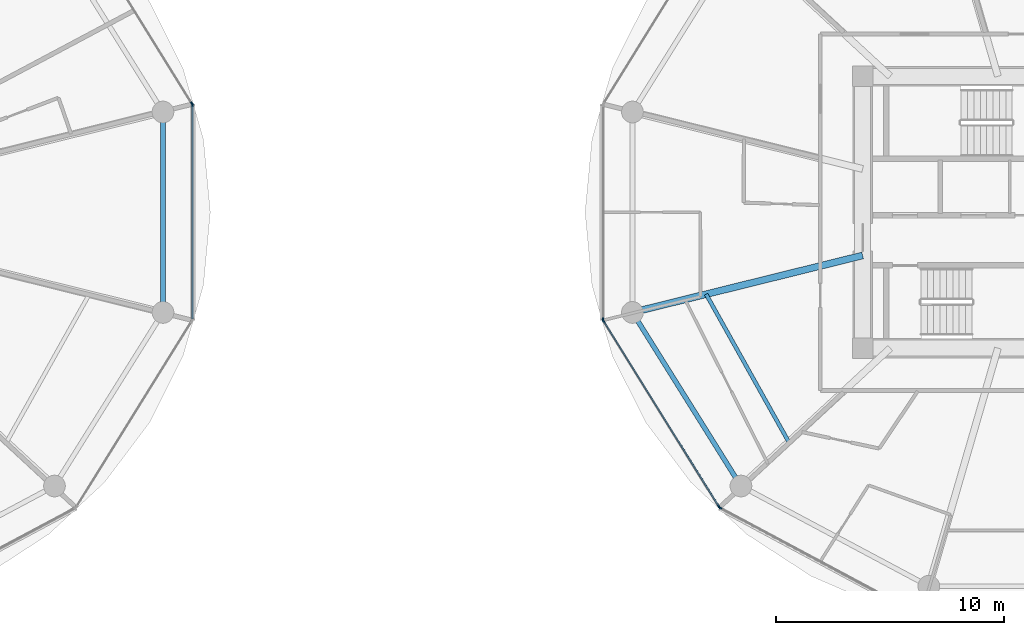
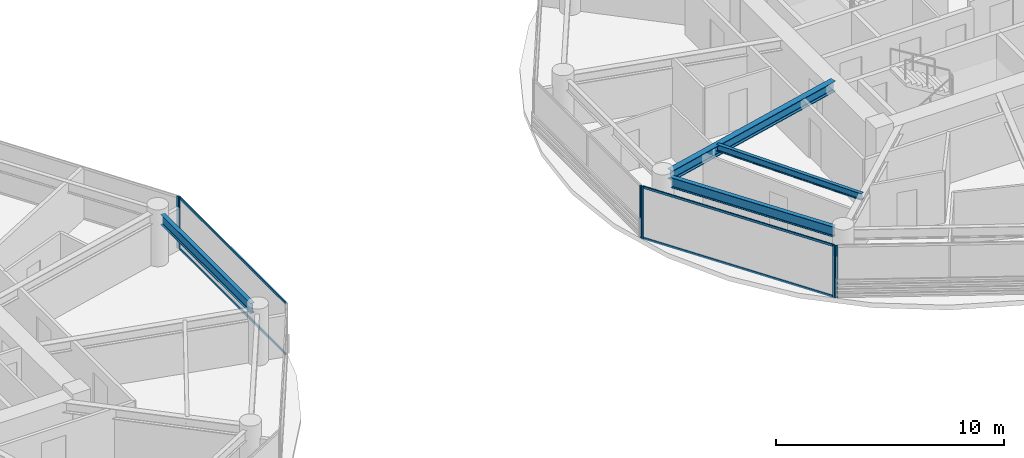
# One storey, part 6 of 27: 10 members, 4 beams, 5 elements without a shape of their own.
"""IFC4 building model written with IfcOpenShell, lengths in metres."""

from ifc_helpers import new_model, si_unit, direction, frame, origin, origin_2d, place, context, subcontext, project, spatial, rectangle, i_section, extrude, source, transform, mapped, material, layer, layer_set, material_profile, profile_set, type_object, type_shapes, element, aggregate, save


model = new_model("IFC4")

# Units and contexts
model_context = context("Model", 3, precision=1e-05, world=origin(), true_north=direction((0.0, 1.0)))
body_context = subcontext(model_context, "Body", "Model", "MODEL_VIEW")
ifc_project = project(units=[si_unit("LENGTHUNIT", "METRE"), si_unit("AREAUNIT", "SQUARE_METRE"), si_unit("VOLUMEUNIT", "CUBIC_METRE"), si_unit("PLANEANGLEUNIT", "RADIAN"), si_unit("MASSUNIT", "GRAM", prefix="KILO")], contexts=[model_context])

# Site, building, storey
site_placement = place(None, origin())
site = spatial("IfcSite", under=ifc_project, at=site_placement, CompositionType="ELEMENT")
building_placement = place(site_placement, origin())
building = spatial("IfcBuilding", under=site, at=building_placement, Name="Norrkilde Senior Care Towers", CompositionType="ELEMENT")
storey_placement = place(building_placement, frame((0.0, 0.0, 33.800048828125)))
storey = spatial("IfcBuildingStorey", under=building, at=storey_placement, Name="L09", CompositionType="ELEMENT", Elevation=33.800048828125)

# Beams
ifc_material_1 = material(Name="Steel S355", Category="steel")
ifc_material_profile_1 = material_profile(ifc_material_1, i_section(OverallWidth=0.2099609375, OverallDepth=0.550048828125, WebThickness=0.010986328125, FlangeThickness=0.01708984375, FilletRadius=0.02392578125, at=origin_2d()), Name="IPE 550")
ifc_profile_set_1 = profile_set([ifc_material_profile_1], Name="Steel S355")
beam_type_1 = type_object("IfcBeamType", Name="Perimeter Ring Spandrel Z1 IPE550", PredefinedType="SPANDREL", material=ifc_profile_set_1)
shared_shape_1 = source(origin(), body_context, "Body", "SweptSolid", [
    extrude(i_section(OverallWidth=0.2099609375, OverallDepth=0.550048828125, WebThickness=0.010986328125, FlangeThickness=0.01708984375, FilletRadius=0.02392578125, at=origin_2d()), origin(), (0.0, 0.0, 1.0), 8.090576171875),
])
beam_1_placement = place(storey_placement, frame((10.505859375, -4.755859375, 2.514892578125), z_axis=(0.530004364821, -0.84799491347, 0.0), x_axis=(0.84799491347, 0.530004364821, 0.0)))
element("IfcBeam", 1, at=beam_1_placement, inside=storey, type_object=beam_type_1, Name="L09 Drum E Perimeter Spandrel 07", PredefinedType="SPANDREL", context=body_context, shape_type="MappedRepresentation", body=[
    mapped(shared_shape_1, transform((0.0, 0.0, 0.0), x_axis=(1.0, 0.0, 0.0), y_axis=(0.0, 1.0, 0.0), z_axis=(0.0, 0.0, 1.0), scale=1.0)),
])
ifc_material_profile_2 = material_profile(ifc_material_1, i_section(OverallWidth=0.300048828125, OverallDepth=0.550048828125, WebThickness=0.014892578125, FlangeThickness=0.029052734375, FilletRadius=0.027099609375, at=origin_2d()), Name="HEB 550")
ifc_profile_set_2 = profile_set([ifc_material_profile_2], Name="Steel S355")
beam_type_2 = type_object("IfcBeamType", Name="Radial Floor Beam Z1 HEB550", PredefinedType="BEAM", material=ifc_profile_set_2)
shared_shape_2 = source(origin(), body_context, "Body", "SweptSolid", [
    extrude(i_section(OverallWidth=0.300048828125, OverallDepth=0.550048828125, WebThickness=0.014892578125, FlangeThickness=0.029052734375, FilletRadius=0.027099609375, at=origin_2d()), origin(), (0.0, 0.0, 1.0), 9.94384765625),
])
type_shapes(beam_type_2, [shared_shape_2])
beam_2_placement = place(storey_placement, frame((20.35009765625, -1.893310546875, 2.514892578125), z_axis=(-0.970707425182, -0.240264634718, 0.0), x_axis=(0.240264634718, -0.970707425182, 0.0)))
element("IfcBeam", 2, at=beam_2_placement, inside=storey, type_object=beam_type_2, Name="L09 Drum E Radial Floor Beam 07", PredefinedType="BEAM", context=body_context, shape_type="MappedRepresentation", body=[
    mapped(shared_shape_2, transform((0.0, 0.0, 0.0), x_axis=(1.0, 0.0, 0.0), y_axis=(0.0, 1.0, 0.0), z_axis=(0.0, 0.0, 1.0), scale=1.0)),
])
shared_shape_3 = source(origin(), body_context, "Body", "SweptSolid", [
    extrude(i_section(OverallWidth=0.2099609375, OverallDepth=0.550048828125, WebThickness=0.010986328125, FlangeThickness=0.01708984375, FilletRadius=0.02392578125, at=origin_2d()), origin(), (0.0, 0.0, 1.0), 7.90380859375),
])
type_shapes(beam_type_1, [shared_shape_1, shared_shape_3])
beam_3_placement = place(storey_placement, frame((-10.275146484375, -3.951904296875, 2.514892578125), z_axis=(0.0, 1.0, 0.0), x_axis=(-1.0, 0.0, 0.0)))
element("IfcBeam", 3, at=beam_3_placement, inside=storey, type_object=beam_type_1, Name="L09 Drum W Perimeter Spandrel 12", PredefinedType="SPANDREL", context=body_context, shape_type="MappedRepresentation", body=[
    mapped(shared_shape_3, transform((0.0, 0.0, 0.0), x_axis=(1.0, 0.0, 0.0), y_axis=(0.0, 1.0, 0.0), z_axis=(0.0, 0.0, 1.0), scale=1.0)),
])
ifc_material_profile_3 = material_profile(ifc_material_1, i_section(OverallWidth=0.169921875, OverallDepth=0.360107421875, WebThickness=0.008056640625, FlangeThickness=0.0126953125, FilletRadius=0.01806640625, at=origin_2d()), Name="IPE 360")
ifc_profile_set_3 = profile_set([ifc_material_profile_3], Name="Steel S355")
beam_type_3 = type_object("IfcBeamType", Name="Secondary Floor Joist IPE360", PredefinedType="JOIST", material=ifc_profile_set_3)
shared_shape_4 = source(origin(), body_context, "Body", "SweptSolid", [
    extrude(i_section(OverallWidth=0.169921875, OverallDepth=0.360107421875, WebThickness=0.008056640625, FlangeThickness=0.0126953125, FilletRadius=0.01806640625, at=origin_2d()), origin(), (0.0, 0.0, 1.0), 7.40771484375),
])
type_shapes(beam_type_3, [shared_shape_4])
beam_4_placement = place(storey_placement, frame((13.499267578125, -3.589111328125, 2.60986328125), z_axis=(0.488167754092, -0.872749817453, 0.0), x_axis=(0.872749817453, 0.488167754092, 0.0)))
element("IfcBeam", 4, at=beam_4_placement, inside=storey, type_object=beam_type_3, Name="L09 Drum E Secondary Floor Joist 3", PredefinedType="JOIST", context=body_context, shape_type="MappedRepresentation", body=[
    mapped(shared_shape_4, transform((0.0, 0.0, 0.0), x_axis=(1.0, 0.0, 0.0), y_axis=(0.0, 1.0, 0.0), z_axis=(0.0, 0.0, 1.0), scale=1.0)),
])

# Curtain wall, member
ifc_material_2 = material(Name="Triple Low-E Insulated Glazing", Category="glass")
ifc_layer = layer(ifc_material_2, 0.199951171875)
ifc_layer_set = layer_set([ifc_layer], Name="Triple Low-E Insulated Glazing")
curtain_wall_type = type_object("IfcCurtainWallType", Name="CW2 Zone 1 Memory Care Curtain Wall", PredefinedType="NOTDEFINED", material=ifc_layer_set)
curtain_wall_1_placement = place(storey_placement, origin())
curtain_wall_1 = element("IfcCurtainWall", 5, at=curtain_wall_1_placement, inside=storey, type_object=curtain_wall_type, Name="L09 Drum W Curtain Wall 00", PredefinedType="NOTDEFINED")
ifc_material_3 = material(Name="Anodised Aluminium", Category="aluminium")
ifc_material_profile_4 = material_profile(ifc_material_3, rectangle(XDim=0.06494140625, YDim=0.159912109375, at=origin_2d()), Name="ALU MULL 65x160")
ifc_profile_set_4 = profile_set([ifc_material_profile_4], Name="Anodised Aluminium")
member_type_1 = type_object("IfcMemberType", Name="Curtain Wall Mullion Z1-Z2 65x160", PredefinedType="MULLION", material=ifc_profile_set_4)
shared_shape_5 = source(origin(), body_context, "Body", "SweptSolid", [
    extrude(rectangle(XDim=0.06494140625, YDim=0.159912109375, at=origin_2d()), origin(), (0.0, 0.0, 1.0), 2.7900390625),
])
type_shapes(member_type_1, [shared_shape_5])
member_1_placement = place(storey_placement, frame((-9.0078125, 4.7587890625, 0.0), z_axis=(0.0, 0.0, 1.0), x_axis=(0.849305943117, 0.527900951871, 0.0)))
member_1 = element("IfcMember", 6, at=member_1_placement, type_object=member_type_1, Name="CW-2 mullion 2", PredefinedType="MULLION", context=body_context, shape_type="MappedRepresentation", body=[
    mapped(shared_shape_5, transform((0.0, 0.0, 0.0), x_axis=(1.0, 0.0, 0.0), y_axis=(0.0, 1.0, 0.0), z_axis=(0.0, 0.0, 1.0), scale=1.0)),
])
aggregate(curtain_wall_1, [member_1])

curtain_wall_2_placement = place(storey_placement, origin())
curtain_wall_2 = element("IfcCurtainWall", 7, at=curtain_wall_2_placement, inside=storey, type_object=curtain_wall_type, Name="L09 Drum W Curtain Wall 11", PredefinedType="NOTDEFINED")
member_2_placement = place(storey_placement, frame((-8.990478515625, 4.69873046875, 0.0), z_axis=(0.0, 0.0, 1.0), x_axis=(1.0, 0.0, 0.0)))
member_2 = element("IfcMember", 8, at=member_2_placement, type_object=member_type_1, Name="CW-2 mullion 1", PredefinedType="MULLION", context=body_context, shape_type="MappedRepresentation", body=[
    mapped(shared_shape_5, transform((0.0, 0.0, 0.0), x_axis=(1.0, 0.0, 0.0), y_axis=(0.0, 1.0, 0.0), z_axis=(0.0, 0.0, 1.0), scale=1.0)),
])

curtain_wall_3_placement = place(storey_placement, origin())
curtain_wall_3 = element("IfcCurtainWall", 9, at=curtain_wall_3_placement, inside=storey, type_object=curtain_wall_type, Name="L09 Drum E Curtain Wall 05", PredefinedType="NOTDEFINED")
member_3_placement = place(storey_placement, frame((8.990478515625, -4.69873046875, 0.0), z_axis=(0.0, 0.0, 1.0), x_axis=(-1.0, 0.0, 0.0)))
member_3 = element("IfcMember", 10, at=member_3_placement, type_object=member_type_1, Name="CW-2 mullion 1", PredefinedType="MULLION", context=body_context, shape_type="MappedRepresentation", body=[
    mapped(shared_shape_5, transform((0.0, 0.0, 0.0), x_axis=(1.0, 0.0, 0.0), y_axis=(0.0, 1.0, 0.0), z_axis=(0.0, 0.0, 1.0), scale=1.0)),
])
aggregate(curtain_wall_3, [member_3])

# Curtain wall, members
curtain_wall_4_placement = place(storey_placement, origin())
curtain_wall_4 = element("IfcCurtainWall", 11, at=curtain_wall_4_placement, inside=storey, type_object=curtain_wall_type, Name="L09 Drum E Curtain Wall 06", PredefinedType="NOTDEFINED")
member_4_placement = place(storey_placement, frame((14.06689453125, -12.898193359375, 0.0), z_axis=(0.0, 0.0, 1.0), x_axis=(-0.849305943117, -0.527900951871, 0.0)))
member_4 = element("IfcMember", 12, at=member_4_placement, type_object=member_type_1, Name="CW-2 mullion 1", PredefinedType="MULLION", context=body_context, shape_type="MappedRepresentation", body=[
    mapped(shared_shape_5, transform((0.0, 0.0, 0.0), x_axis=(1.0, 0.0, 0.0), y_axis=(0.0, 1.0, 0.0), z_axis=(0.0, 0.0, 1.0), scale=1.0)),
])
member_5_placement = place(storey_placement, frame((9.0078125, -4.7587890625, 0.0), z_axis=(0.0, 0.0, 1.0), x_axis=(-0.849305943117, -0.527900951871, 0.0)))
member_5 = element("IfcMember", 13, at=member_5_placement, type_object=member_type_1, Name="CW-2 mullion 2", PredefinedType="MULLION", context=body_context, shape_type="MappedRepresentation", body=[
    mapped(shared_shape_5, transform((0.0, 0.0, 0.0), x_axis=(1.0, 0.0, 0.0), y_axis=(0.0, 1.0, 0.0), z_axis=(0.0, 0.0, 1.0), scale=1.0)),
])

# Curtain wall, member
curtain_wall_5_placement = place(storey_placement, origin())
curtain_wall_5 = element("IfcCurtainWall", 14, at=curtain_wall_5_placement, inside=storey, type_object=curtain_wall_type, Name="L09 Drum E Curtain Wall 07", PredefinedType="NOTDEFINED")
member_6_placement = place(storey_placement, frame((14.11279296875, -12.941162109375, 0.0), z_axis=(0.0, 0.0, 1.0), x_axis=(-0.472607802456, -0.881272866403, 0.0)))
member_6 = element("IfcMember", 15, at=member_6_placement, type_object=member_type_1, Name="CW-2 mullion 2", PredefinedType="MULLION", context=body_context, shape_type="MappedRepresentation", body=[
    mapped(shared_shape_5, transform((0.0, 0.0, 0.0), x_axis=(1.0, 0.0, 0.0), y_axis=(0.0, 1.0, 0.0), z_axis=(0.0, 0.0, 1.0), scale=1.0)),
])
aggregate(curtain_wall_5, [member_6])

# Member
ifc_material_profile_5 = material_profile(ifc_material_3, rectangle(XDim=0.06005859375, YDim=0.1201171875, at=origin_2d()), Name="ALU TRAN 60x120")
ifc_profile_set_5 = profile_set([ifc_material_profile_5], Name="Anodised Aluminium")
member_type_2 = type_object("IfcMemberType", Name="Curtain Wall Transom Typical 60x120", PredefinedType="USERDEFINED", material=ifc_profile_set_5)
shared_shape_6 = source(origin(), body_context, "Body", "SweptSolid", [
    extrude(rectangle(XDim=0.06005859375, YDim=0.1201171875, at=origin_2d()), origin(), (0.0, 0.0, 1.0), 9.5185546875),
])
member_7_placement = place(storey_placement, frame((14.0498046875, -12.87060546875, 0.030029296875), z_axis=(-0.527901620669, 0.849305527413, 0.0), x_axis=(-0.849305527413, -0.527901620669, 0.0)))
member_7 = element("IfcMember", 16, at=member_7_placement, type_object=member_type_2, Name="CW-2 transom 1.1", ObjectType="TRANSOM", PredefinedType="USERDEFINED", context=body_context, shape_type="MappedRepresentation", body=[
    mapped(shared_shape_6, transform((0.0, 0.0, 0.0), x_axis=(1.0, 0.0, 0.0), y_axis=(0.0, 1.0, 0.0), z_axis=(0.0, 0.0, 1.0), scale=1.0)),
])

member_8_placement = place(storey_placement, frame((14.0498046875, -12.87060546875, 2.760009765625), z_axis=(-0.527901620669, 0.849305527413, 0.0), x_axis=(-0.849305527413, -0.527901620669, 0.0)))
member_8 = element("IfcMember", 17, at=member_8_placement, type_object=member_type_2, Name="CW-2 transom 1.2", ObjectType="TRANSOM", PredefinedType="USERDEFINED", context=body_context, shape_type="MappedRepresentation", body=[
    mapped(shared_shape_6, transform((0.0, 0.0, 0.0), x_axis=(1.0, 0.0, 0.0), y_axis=(0.0, 1.0, 0.0), z_axis=(0.0, 0.0, 1.0), scale=1.0)),
])

aggregate(curtain_wall_4, [member_4, member_5, member_7, member_8])

shared_shape_7 = source(origin(), body_context, "Body", "SweptSolid", [
    extrude(rectangle(XDim=0.06005859375, YDim=0.1201171875, at=origin_2d()), origin(), (0.0, 0.0, 1.0), 9.33251953125),
])
type_shapes(member_type_2, [shared_shape_6, shared_shape_7])
member_9_placement = place(storey_placement, frame((-8.990478515625, 4.666259765625, 0.030029296875), z_axis=(0.0, -1.0, 0.0), x_axis=(1.0, 0.0, 0.0)))
member_9 = element("IfcMember", 18, at=member_9_placement, type_object=member_type_2, Name="CW-2 transom 1.1", ObjectType="TRANSOM", PredefinedType="USERDEFINED", context=body_context, shape_type="MappedRepresentation", body=[
    mapped(shared_shape_7, transform((0.0, 0.0, 0.0), x_axis=(1.0, 0.0, 0.0), y_axis=(0.0, 1.0, 0.0), z_axis=(0.0, 0.0, 1.0), scale=1.0)),
])

member_10_placement = place(storey_placement, frame((-8.990478515625, 4.666259765625, 2.760009765625), z_axis=(0.0, -1.0, 0.0), x_axis=(1.0, 0.0, 0.0)))
member_10 = element("IfcMember", 19, at=member_10_placement, type_object=member_type_2, Name="CW-2 transom 1.2", ObjectType="TRANSOM", PredefinedType="USERDEFINED", context=body_context, shape_type="MappedRepresentation", body=[
    mapped(shared_shape_7, transform((0.0, 0.0, 0.0), x_axis=(1.0, 0.0, 0.0), y_axis=(0.0, 1.0, 0.0), z_axis=(0.0, 0.0, 1.0), scale=1.0)),
])

aggregate(curtain_wall_2, [member_2, member_9, member_10])

save(model, "model.ifc")
